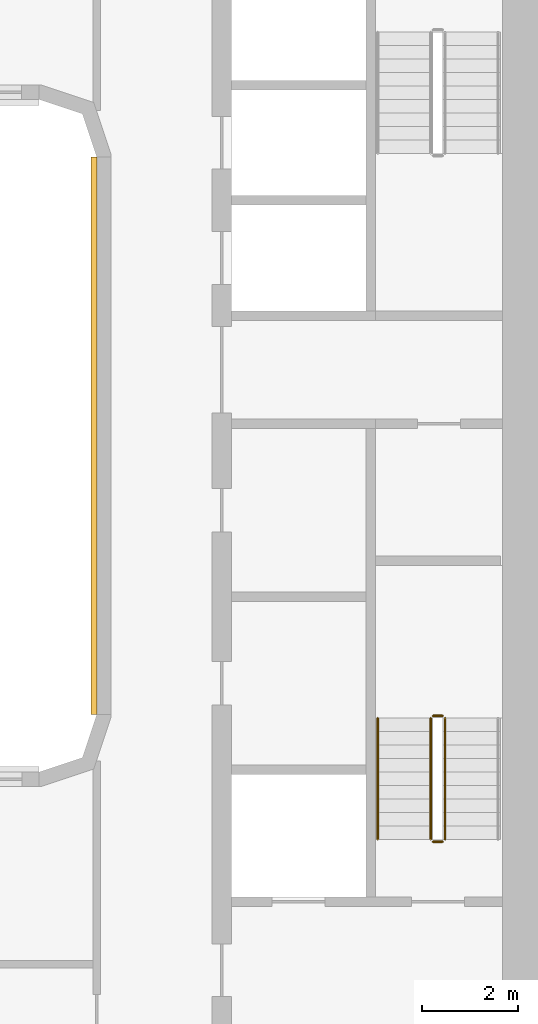
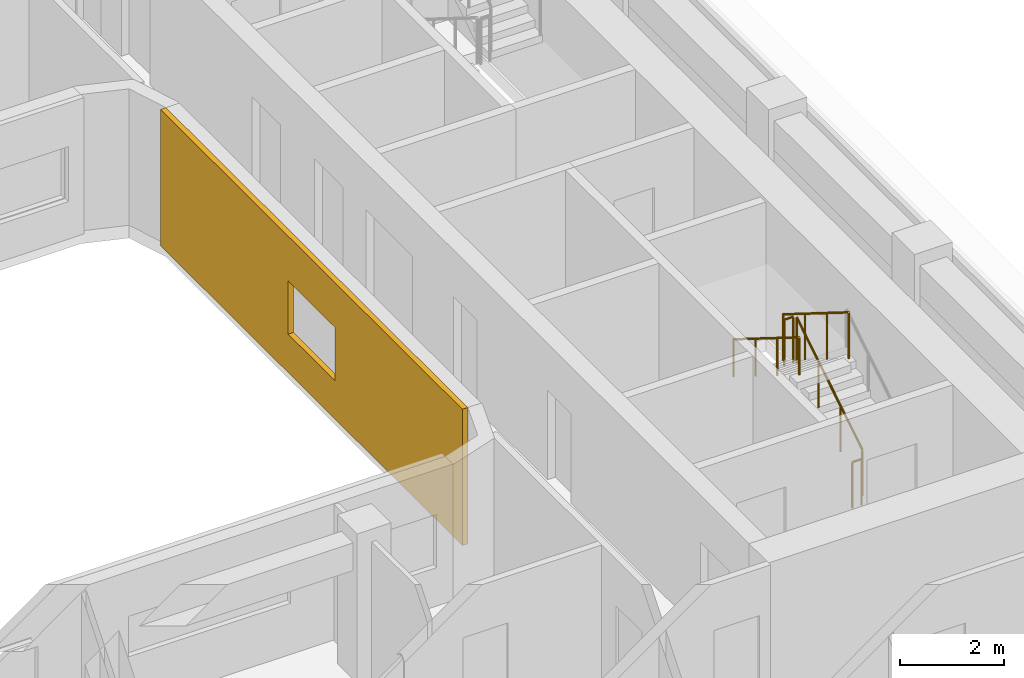
# One storey, part 16 of 21: 5 railings, 1 covering.
"""IFC4 building model written with IfcOpenShell, lengths in metres."""

from ifc_helpers import new_model, si_unit, direction, frame, origin, origin_2d, place, context, subcontext, project, spatial, polyline, circle, outline, extrude, material, layer, layer_set, type_object, element, save


model = new_model("IFC4")

# Units and contexts
model_context = context("Model", 3, precision=1e-05, world=origin(), true_north=direction((0.0, 1.0)))
body_context = subcontext(model_context, "Body", "Model", "MODEL_VIEW")
ifc_project = project(units=[si_unit("LENGTHUNIT", "METRE"), si_unit("AREAUNIT", "SQUARE_METRE"), si_unit("VOLUMEUNIT", "CUBIC_METRE"), si_unit("PLANEANGLEUNIT", "RADIAN"), si_unit("MASSUNIT", "GRAM", prefix="KILO")], contexts=[model_context])

# Site, building, storey
site_placement = place(None, origin())
site = spatial("IfcSite", under=ifc_project, at=site_placement, CompositionType="ELEMENT")
building_placement = place(site_placement, origin())
building = spatial("IfcBuilding", under=site, at=building_placement, Name="Kiln Ring Residences", CompositionType="ELEMENT")
storey_placement = place(building_placement, frame((0.0, 0.0, 216.89990234375)))
storey = spatial("IfcBuildingStorey", under=building, at=storey_placement, Name="L56", CompositionType="ELEMENT", Elevation=216.89990234375)

# Railings
ifc_material_1 = material(Name="Stainless steel", Category="steel")
railing_type_1 = type_object("IfcRailingType", Name="CORE-STAIR-GUARD", PredefinedType="GUARDRAIL", material=ifc_material_1)
railing_1_placement = place(storey_placement, frame((22.25, -8.39990234375, 0.175048828125)))
element("IfcRailing", 1, at=railing_1_placement, inside=storey, type_object=railing_type_1, Name="L56 E-STS stair guard 1", PredefinedType="GUARDRAIL", context=body_context, shape_type="SweptSolid", body=[
    extrude(circle(Radius=0.02392578125, at=origin_2d()), frame((0.0, 0.0, 1.076171875), z_axis=(0.0, 0.848007534815, 0.529984170421), x_axis=(-1.0, 0.0, 0.0)), (0.0, 0.0, 1.0), 2.9716796875),
    extrude(circle(Radius=0.02099609375, at=origin_2d()), origin(), (0.0, 0.0, 1.0), 1.052001953125),
    extrude(circle(Radius=0.02099609375, at=origin_2d()), frame((0.0, 0.840087890625, 0.52490234375)), (0.0, 0.0, 1.0), 1.052001953125),
    extrude(circle(Radius=0.02099609375, at=origin_2d()), frame((0.0, 1.679931640625, 1.050048828125)), (0.0, 0.0, 1.0), 1.052001953125),
    extrude(circle(Radius=0.02099609375, at=origin_2d()), frame((0.0, 2.52001953125, 1.574951171875)), (0.0, 0.0, 1.0), 1.052001953125),
])
railing_2_placement = place(storey_placement, frame((22.199951171875, -5.830078125, 1.75)))
element("IfcRailing", 2, at=railing_2_placement, inside=storey, type_object=railing_type_1, Name="L56 E-STS stair guard 2", PredefinedType="GUARDRAIL", context=body_context, shape_type="SweptSolid", body=[
    extrude(circle(Radius=0.02392578125, at=origin_2d()), frame((0.0, 0.0, 1.076171875), z_axis=(-1.0, 0.0, 0.0), x_axis=(0.0, -1.0, 0.0)), (0.0, 0.0, 1.0), 0.199951171875),
    extrude(circle(Radius=0.02099609375, at=origin_2d()), origin(), (0.0, 0.0, 1.0), 1.052001953125),
    extrude(circle(Radius=0.02099609375, at=origin_2d()), frame((-0.199951171875, 0.0, 0.0)), (0.0, 0.0, 1.0), 1.052001953125),
])
railing_3_placement = place(storey_placement, frame((21.949951171875, -5.8798828125, 1.925048828125)))
element("IfcRailing", 3, at=railing_3_placement, inside=storey, type_object=railing_type_1, Name="L56 E-STS stair guard 3", PredefinedType="GUARDRAIL", context=body_context, shape_type="SweptSolid", body=[
    extrude(circle(Radius=0.02392578125, at=origin_2d()), frame((0.0, 0.0, 1.076171875), z_axis=(0.0, -0.848007534815, 0.529984170421), x_axis=(1.0, 0.0, 0.0)), (0.0, 0.0, 1.0), 2.9716796875),
    extrude(circle(Radius=0.02099609375, at=origin_2d()), origin(), (0.0, 0.0, 1.0), 1.052001953125),
    extrude(circle(Radius=0.02099609375, at=origin_2d()), frame((0.0, -0.840087890625, 0.52490234375)), (0.0, 0.0, 1.0), 1.052001953125),
    extrude(circle(Radius=0.02099609375, at=origin_2d()), frame((0.0, -1.679931640625, 1.050048828125)), (0.0, 0.0, 1.0), 1.052001953125),
    extrude(circle(Radius=0.02099609375, at=origin_2d()), frame((0.0, -2.52001953125, 1.574951171875)), (0.0, 0.0, 1.0), 1.052001953125),
])
railing_4_placement = place(storey_placement, frame((22.199951171875, -8.449951171875, 0.0)))
element("IfcRailing", 4, at=railing_4_placement, inside=storey, type_object=railing_type_1, Name="L56 E-STS stair guard 4", PredefinedType="GUARDRAIL", context=body_context, shape_type="SweptSolid", body=[
    extrude(circle(Radius=0.02392578125, at=origin_2d()), frame((0.0, 0.0, 1.076171875), z_axis=(-1.0, 0.0, 0.0), x_axis=(0.0, -1.0, 0.0)), (0.0, 0.0, 1.0), 0.199951171875),
    extrude(circle(Radius=0.02099609375, at=origin_2d()), origin(), (0.0, 0.0, 1.0), 1.052001953125),
    extrude(circle(Radius=0.02099609375, at=origin_2d()), frame((-0.199951171875, 0.0, 0.0)), (0.0, 0.0, 1.0), 1.052001953125),
])
ifc_material_2 = material(Name="Stainless steel", Category="steel")
railing_type_2 = type_object("IfcRailingType", Name="CORE-STAIR-HANDRAIL", PredefinedType="HANDRAIL", material=ifc_material_2)
railing_5_placement = place(storey_placement, frame((20.85009765625, -5.8798828125, 1.925048828125)))
element("IfcRailing", 5, at=railing_5_placement, inside=storey, type_object=railing_type_2, Name="L56 E-STS stair handrail 2", PredefinedType="HANDRAIL", context=body_context, shape_type="SweptSolid", body=[
    extrude(circle(Radius=0.02392578125, at=origin_2d()), frame((0.0, 0.0, 0.8759765625), z_axis=(0.0, -0.848007534815, 0.529984170421), x_axis=(1.0, 0.0, 0.0)), (0.0, 0.0, 1.0), 2.9716796875),
    extrude(circle(Radius=0.02099609375, at=origin_2d()), origin(), (0.0, 0.0, 1.0), 0.851806640625),
    extrude(circle(Radius=0.02099609375, at=origin_2d()), frame((0.0, -0.840087890625, 0.52490234375)), (0.0, 0.0, 1.0), 0.851806640625),
    extrude(circle(Radius=0.02099609375, at=origin_2d()), frame((0.0, -1.679931640625, 1.050048828125)), (0.0, 0.0, 1.0), 0.851806640625),
    extrude(circle(Radius=0.02099609375, at=origin_2d()), frame((0.0, -2.52001953125, 1.574951171875)), (0.0, 0.0, 1.0), 0.851806640625),
])

# Covering
ifc_material_3 = material(Name="Brick masonry, dark clay brick", Category="masonry")
ifc_layer = layer(ifc_material_3, 0.1201171875)
ifc_layer_set = layer_set([ifc_layer], Name="RAINSCREEN PANEL 120")
covering_type = type_object("IfcCoveringType", Name="RAINSCREEN PANEL 120", PredefinedType="CLADDING", material=ifc_layer_set)
covering_placement = place(storey_placement, frame((14.93994140625, 5.800048828125, 0.0), z_axis=(0.0, 0.0, 1.0), x_axis=(0.0, -1.0, 0.0)))
element("IfcCovering", 6, at=covering_placement, inside=storey, type_object=covering_type, Name="RAINSCREEN L56", PredefinedType="CLADDING", context=body_context, shape_type="SweptSolid", body=[
    extrude(outline(polyline([(0.0, 0.0), (11.60009765625, 0.0), (11.60009765625, 3.2001953125), (0.0, 3.2001953125), (0.0, 0.0)]), holes=[polyline([(4.89990234375, 2.150146484375), (4.89990234375, 0.900146484375), (6.699951171875, 0.900146484375), (6.699951171875, 2.150146484375), (4.89990234375, 2.150146484375)])]), frame((0.0, 0.06005859375, 0.0), z_axis=(0.0, -1.0, 0.0), x_axis=(1.0, 0.0, 0.0)), (0.0, 0.0, 1.0), 0.1201171875),
])

save(model, "model.ifc")
